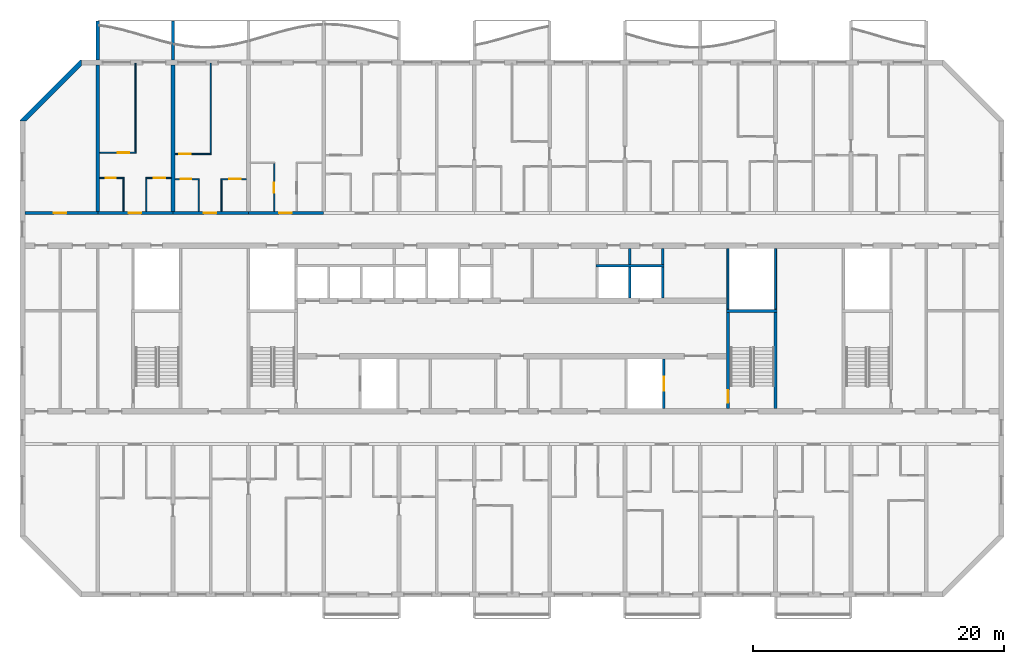
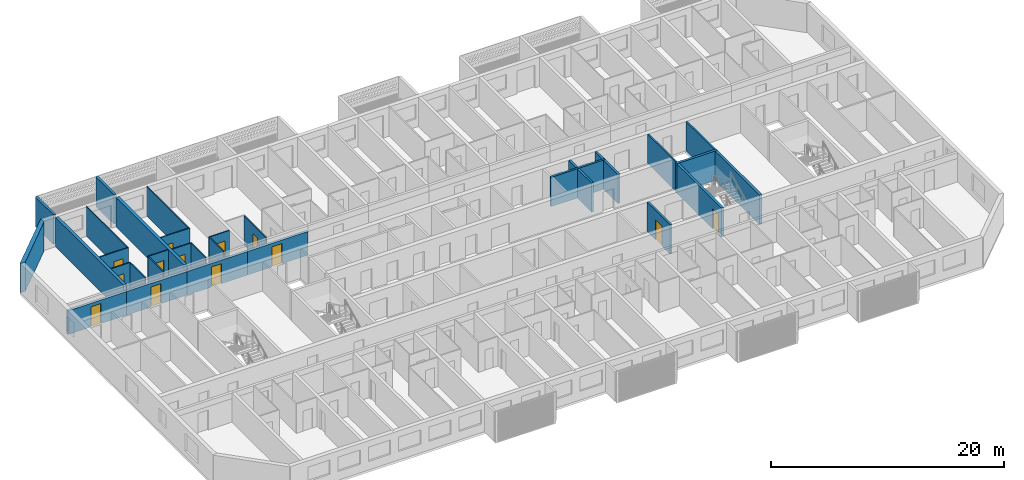
# One storey, part 8 of 32: 33 walls, 13 doors, 13 openings.
"""IFC4 building model written with IfcOpenShell, lengths in metres."""

import ifcopenshell
import ifcopenshell.guid

model = None  # the IFC model being written
_history = None  # IfcOwnerHistory: only IFC2X3 demands one
_inside = {}  # id of a spatial element -> (the spatial element, [elements in it])
_under = {}  # id of a project, library or spatial element -> (it, [spatial elements below it])
_declared = {}  # id of a project -> (the project, [libraries it declares])
_typed = {}  # id of a type object -> (the type object, [elements of that type])
_made_of = {}  # id of a material, layer set ... -> (it, [elements and type objects made of it])


def new_model(schema):
    """Start an empty IFC model of exactly this schema.

    Asked for "IFC4X3", IfcOpenShell would pick the latest addendum, in which some entities
    have other attributes; the version numbers below select the first issue.
    IFC2X3 requires an IfcOwnerHistory on every rooted entity: one is made here for all.
    """
    global model, _history
    if schema == "IFC4X3":
        model = ifcopenshell.file(schema_version=(4, 3, 0, 0))
    else:
        model = ifcopenshell.file(schema=schema)
    _inside.clear()
    _under.clear()
    _declared.clear()
    _typed.clear()
    _made_of.clear()
    _history = None
    if model.schema == "IFC2X3":
        org = make("IfcOrganization", Name="unknown")
        user = make(
            "IfcPersonAndOrganization",
            ThePerson=make("IfcPerson", FamilyName="unknown"),
            TheOrganization=org,
        )
        app = make(
            "IfcApplication",
            ApplicationDeveloper=org,
            Version="unknown",
            ApplicationFullName="unknown",
            ApplicationIdentifier="unknown",
        )
        _history = make(
            "IfcOwnerHistory",
            OwningUser=user,
            OwningApplication=app,
            ChangeAction="ADDED",
            CreationDate=0,
        )
    return model


def make(cls, **values):
    """One entity of the class cls with the attributes given. An attribute that is None is left unset."""
    return model.create_entity(
        cls, **{name: value for name, value in values.items() if value is not None}
    )


def rooted(cls, **values):
    """An entity with a GlobalId (a new one), such as an element, a storey or a relation."""
    return make(cls, GlobalId=ifcopenshell.guid.new(), OwnerHistory=_history, **values)


def si_unit(unit_type, name, prefix=None):
    """IfcSIUnit, for example si_unit("LENGTHUNIT", "METRE", prefix="MILLI")."""
    return make("IfcSIUnit", UnitType=unit_type, Prefix=prefix, Name=name)


def assignment(units):
    """IfcUnitAssignment: the units of a project."""
    return None if units is None else make("IfcUnitAssignment", Units=units)


def point(xyz):
    """IfcCartesianPoint."""
    return None if xyz is None else make("IfcCartesianPoint", Coordinates=xyz)


def direction(xyz):
    """IfcDirection."""
    return None if xyz is None else make("IfcDirection", DirectionRatios=xyz)


def frame(location, z_axis=None, x_axis=None):
    """IfcAxis2Placement3D, a coordinate frame: its origin and axes. An axis left out is left unset."""
    return make(
        "IfcAxis2Placement3D",
        Location=point(location),
        Axis=direction(z_axis),
        RefDirection=direction(x_axis),
    )


def frame_2d(location, x_axis=None):
    """IfcAxis2Placement2D, a coordinate frame in the plane: its origin and x axis."""
    return make(
        "IfcAxis2Placement2D", Location=point(location), RefDirection=direction(x_axis)
    )


def origin():
    """The frame at (0, 0, 0) with its axes left unset."""
    return frame((0.0, 0.0, 0.0))


def place(relative_to, where):
    """IfcLocalPlacement: puts the frame where relative to a parent placement (None: the world)."""
    return make(
        "IfcLocalPlacement", PlacementRelTo=relative_to, RelativePlacement=where
    )


def context(
    kind, dimensions, precision=None, world=None, true_north=None, identifier=None
):
    """IfcGeometricRepresentationContext, for example the 3D "Model" context."""
    return make(
        "IfcGeometricRepresentationContext",
        ContextIdentifier=identifier,
        ContextType=kind,
        CoordinateSpaceDimension=dimensions,
        Precision=precision,
        WorldCoordinateSystem=world,
        TrueNorth=true_north,
    )


def subcontext(parent, identifier, kind, view, scale=None):
    """IfcGeometricRepresentationSubContext, for example "Body" below "Model"."""
    return make(
        "IfcGeometricRepresentationSubContext",
        ContextIdentifier=identifier,
        ContextType=kind,
        ParentContext=parent,
        TargetScale=scale,
        TargetView=view,
    )


def project(units=None, contexts=None):
    """IfcProject with its units and contexts."""
    return rooted(
        "IfcProject",
        Name="project",
        RepresentationContexts=contexts,
        UnitsInContext=assignment(units),
    )


def spatial(cls, under=None, at=None, **own):
    """A site, building, storey or space (cls), placed at a placement, below another one or the project."""
    s = rooted(cls, ObjectPlacement=at, **own)
    if under is not None:
        _under.setdefault(under.id(), (under, []))[1].append(s)
    return s


def polyline(points):
    """IfcPolyline through the points."""
    return make("IfcPolyline", Points=[point(p) for p in points])


def profile(cls, at=None, kind="AREA", **sizes):
    """A parametric profile (cls). Its sizes go by their IFC names, for example OverallWidth=200.0."""
    return make(cls, ProfileType=kind, Position=at, **sizes)


def rectangle(**sizes):
    """IfcRectangleProfileDef."""
    return profile("IfcRectangleProfileDef", **sizes)


def outline(outer, holes=None, kind="AREA"):
    """IfcArbitraryClosedProfileDef: a profile drawn as a closed curve; with holes, ...WithVoids."""
    if holes is None:
        return make("IfcArbitraryClosedProfileDef", ProfileType=kind, OuterCurve=outer)
    return make(
        "IfcArbitraryProfileDefWithVoids",
        ProfileType=kind,
        OuterCurve=outer,
        InnerCurves=holes,
    )


def extrude(swept, where, along, depth):
    """IfcExtrudedAreaSolid: the profile swept, set in the frame where, extruded along a direction by depth."""
    return make(
        "IfcExtrudedAreaSolid",
        SweptArea=swept,
        Position=where,
        ExtrudedDirection=direction(along),
        Depth=depth,
    )


def shape(context_of_items, identifier, shape_type, items):
    """IfcShapeRepresentation: the items that make up one representation, for example the "Body"."""
    return make(
        "IfcShapeRepresentation",
        ContextOfItems=context_of_items,
        RepresentationIdentifier=identifier,
        RepresentationType=shape_type,
        Items=items,
    )


def source(mapping_origin, context_of_items, identifier, shape_type, items):
    """IfcRepresentationMap: a shape defined once, which mapped items show again and again."""
    return make(
        "IfcRepresentationMap",
        MappingOrigin=mapping_origin,
        MappedRepresentation=shape(context_of_items, identifier, shape_type, items),
    )


def transform(
    local_origin,
    x_axis=None,
    y_axis=None,
    z_axis=None,
    scale=None,
    scale2=None,
    scale3=None,
    uniform=True,
):
    """IfcCartesianTransformationOperator3D, or its non-uniform kind. x_axis, y_axis, z_axis: its Axis1, 2, 3."""
    if uniform:
        return make(
            "IfcCartesianTransformationOperator3D",
            Axis1=direction(x_axis),
            Axis2=direction(y_axis),
            LocalOrigin=point(local_origin),
            Scale=scale,
            Axis3=direction(z_axis),
        )
    return make(
        "IfcCartesianTransformationOperator3DnonUniform",
        Axis1=direction(x_axis),
        Axis2=direction(y_axis),
        LocalOrigin=point(local_origin),
        Scale=scale,
        Axis3=direction(z_axis),
        Scale2=scale2,
        Scale3=scale3,
    )


def mapped(mapping_source, mapping_target):
    """IfcMappedItem: shows the shape of a source again, moved by a transform."""
    return make(
        "IfcMappedItem", MappingSource=mapping_source, MappingTarget=mapping_target
    )


def material(Name=None, Category=None):
    """IfcMaterial."""
    return make("IfcMaterial", Name=Name, Category=Category)


def layer(
    of_material, thickness, ventilated=None, Name=None, Category=None, Priority=None
):
    """IfcMaterialLayer: one layer of a wall or slab, of a material (None: an air gap)."""
    return make(
        "IfcMaterialLayer",
        Material=of_material,
        LayerThickness=thickness,
        IsVentilated=ventilated,
        Name=Name,
        Category=Category,
        Priority=Priority,
    )


def layer_set(layers, Name=None):
    """IfcMaterialLayerSet."""
    return make("IfcMaterialLayerSet", MaterialLayers=layers, LayerSetName=Name)


def made_of(thing, what):
    """Note that an element or type object is made of a material, layer set ...; save() writes the relation."""
    if what is not None:
        _made_of.setdefault(what.id(), (what, []))[1].append(thing)
    return thing


def type_object(cls, material=None, **own):
    """A type object (cls), such as IfcWallType, which elements share."""
    return made_of(rooted(cls, **own), material)


def element(
    cls,
    number,
    at=None,
    inside=None,
    cuts=None,
    type_object=None,
    material=None,
    context=None,
    identifier="Body",
    shape_type=None,
    held_by="IfcProductDefinitionShape",
    body=None,
    shapes=None,
    **own,
):
    """One element of the class cls, such as IfcWall. Its Tag is "e" and its number.

    at: its placement. inside: the storey or other place that contains it. cuts: it is an
    opening in that element (IfcRelVoidsElement). A single representation is given by context,
    identifier, shape_type and body (its items); several are given by shapes. held_by: the class
    of the entity that holds the representations. save() writes the other relations.
    """
    e = rooted(cls, Tag="e%d" % number, ObjectPlacement=at, **own)
    if body is not None:
        shapes = [shape(context, identifier, shape_type, body)]
    if shapes is not None:
        e.Representation = make(held_by, Representations=shapes)
    if inside is not None:
        _inside.setdefault(inside.id(), (inside, []))[1].append(e)
    if cuts is not None:
        rooted(
            "IfcRelVoidsElement", RelatingBuildingElement=cuts, RelatedOpeningElement=e
        )
    if type_object is not None:
        _typed.setdefault(type_object.id(), (type_object, []))[1].append(e)
    return made_of(e, material)


def fill(opening, filler):
    """IfcRelFillsElement: the door or window that sits in an opening."""
    return rooted(
        "IfcRelFillsElement",
        RelatingOpeningElement=opening,
        RelatedBuildingElement=filler,
    )


def aggregate(whole, parts):
    """IfcRelAggregates: a whole, such as a stair, and the parts it consists of."""
    return rooted("IfcRelAggregates", RelatingObject=whole, RelatedObjects=parts)


def save(model, path):
    """Write the relations noted so far, then the file.

    IfcRelAggregates (storeys below a building ...), IfcRelContainedInSpatialStructure (elements
    in a storey), IfcRelDefinesByType, IfcRelAssociatesMaterial and IfcRelDeclares: one each for
    every whole, place, type object, material and project.
    """
    for whole, parts in _under.values():
        aggregate(whole, parts)
    for where, things in _inside.values():
        rooted(
            "IfcRelContainedInSpatialStructure",
            RelatedElements=things,
            RelatingStructure=where,
        )
    for kind, things in _typed.values():
        rooted("IfcRelDefinesByType", RelatedObjects=things, RelatingType=kind)
    for what, things in _made_of.values():
        rooted("IfcRelAssociatesMaterial", RelatedObjects=things, RelatingMaterial=what)
    for by, libraries in _declared.values():
        rooted("IfcRelDeclares", RelatingContext=by, RelatedDefinitions=libraries)
    model.write(path)


model = new_model("IFC4")

# Units and contexts
model_context = context("Model", 3, precision=1e-05, world=origin(), true_north=direction((0.0, 1.0)))
body_context = subcontext(model_context, "Body", "Model", "MODEL_VIEW")
ifc_project = project(units=[si_unit("LENGTHUNIT", "METRE"), si_unit("AREAUNIT", "SQUARE_METRE"), si_unit("VOLUMEUNIT", "CUBIC_METRE"), si_unit("PLANEANGLEUNIT", "RADIAN"), si_unit("MASSUNIT", "GRAM", prefix="KILO")], contexts=[model_context])

# Site, building, storey
site_placement = place(None, origin())
site = spatial("IfcSite", under=ifc_project, at=site_placement, CompositionType="ELEMENT")
building_placement = place(site_placement, origin())
building = spatial("IfcBuilding", under=site, at=building_placement, Name="Poui Terraces", CompositionType="ELEMENT")
storey_placement = place(building_placement, frame((0.0, 0.0, 129.0)))
storey = spatial("IfcBuildingStorey", under=building, at=storey_placement, Name="L35", CompositionType="ELEMENT", Elevation=129.0)

# Wall, opening, door
ifc_material_1 = material(Name="Concrete 65 MPa", Category="concrete")
ifc_layer_1 = layer(ifc_material_1, 0.25)
ifc_layer_set_1 = layer_set([ifc_layer_1], Name="Concrete 65 MPa")
wall_type_1 = type_object("IfcWallType", Name="CORRIDOR WALL 250 65MPa", PredefinedType="SHEAR", material=ifc_layer_set_1)
wall_1_placement = place(storey_placement, frame((12.199951171875, 30.39990234375, 0.0), z_axis=(0.0, 0.0, 1.0), x_axis=(1.0, 0.0, 0.0)))
wall_1 = element("IfcWall", 1, at=wall_1_placement, inside=storey, type_object=wall_type_1, Name="CORRIDOR WALL LINE E BAY 1", PredefinedType="SHEAR", context=body_context, shape_type="SweptSolid", body=[
    extrude(rectangle(XDim=5.800048828125, YDim=0.25, at=frame_2d((2.89990234375, 0.0))), origin(), (0.0, 0.0, 1.0), 2.469970703125),
])
opening_1_placement = place(wall_1_placement, frame((2.300048828125, 0.0, 0.0)))
opening_1 = element("IfcOpeningElement", 2, at=opening_1_placement, cuts=wall_1, Name="Opening D100", PredefinedType="OPENING", context=body_context, shape_type="SweptSolid", body=[
    extrude(rectangle(XDim=1.0, YDim=2.10009765625, at=frame_2d((0.5, 1.050048828125))), frame((0.0, 0.135009765625, 0.0), z_axis=(0.0, -1.0, 0.0), x_axis=(1.0, 0.0, 0.0)), (0.0, 0.0, 1.0), 0.27001953125),
])
ifc_material_2 = material(Name="Solid core timber door", Category="wood")
door_type_1 = type_object("IfcDoorType", Name="ACCESSIBLE INTERNAL DOOR 1000 X 2100", OperationType="NOTDEFINED", PredefinedType="DOOR", material=ifc_material_2)
door_1_placement = place(opening_1_placement, origin())
door_1 = element("IfcDoor", 3, at=door_1_placement, inside=storey, type_object=door_type_1, Name="ACCESSIBLE INTERNAL DOOR 034", OperationType="SINGLE_SWING_LEFT", OverallHeight=2.10009765625, OverallWidth=1.0, PredefinedType="DOOR", context=body_context, shape_type="SweptSolid", body=[
    extrude(rectangle(XDim=1.0, YDim=2.10009765625, at=frame_2d((0.5, 1.050048828125))), frame((0.0, 0.02490234375, 0.0), z_axis=(0.0, -1.0, 0.0), x_axis=(1.0, 0.0, 0.0)), (0.0, 0.0, 1.0), 0.050048828125),
])
fill(opening_1, door_1)

wall_2_placement = place(storey_placement, frame((18.0, 30.39990234375, 0.0), z_axis=(0.0, 0.0, 1.0), x_axis=(1.0, 0.0, 0.0)))
wall_2 = element("IfcWall", 4, at=wall_2_placement, inside=storey, type_object=wall_type_1, Name="CORRIDOR WALL LINE E BAY 2", PredefinedType="SHEAR", context=body_context, shape_type="SweptSolid", body=[
    extrude(rectangle(XDim=6.0, YDim=0.25, at=frame_2d((3.0, 0.0))), origin(), (0.0, 0.0, 1.0), 2.469970703125),
])
opening_2_placement = place(wall_2_placement, frame((2.449951171875, 0.0, 0.0)))
opening_2 = element("IfcOpeningElement", 5, at=opening_2_placement, cuts=wall_2, Name="Opening FD30S", PredefinedType="OPENING", context=body_context, shape_type="SweptSolid", body=[
    extrude(rectangle(XDim=1.0, YDim=2.10009765625, at=frame_2d((0.5, 1.050048828125))), frame((0.0, 0.135009765625, 0.0), z_axis=(0.0, -1.0, 0.0), x_axis=(1.0, 0.0, 0.0)), (0.0, 0.0, 1.0), 0.27001953125),
])
ifc_material_3 = material(Name="Steel fire door", Category="steel")
door_type_2 = type_object("IfcDoorType", Name="FLAT ENTRANCE DOOR 1000 X 2100", OperationType="NOTDEFINED", PredefinedType="DOOR", material=ifc_material_3)
door_2_placement = place(opening_2_placement, origin())
door_2 = element("IfcDoor", 6, at=door_2_placement, inside=storey, type_object=door_type_2, Name="FLAT ENTRANCE DOOR 037", OperationType="SINGLE_SWING_LEFT", OverallHeight=2.10009765625, OverallWidth=1.0, PredefinedType="DOOR", context=body_context, shape_type="SweptSolid", body=[
    extrude(rectangle(XDim=1.0, YDim=2.10009765625, at=frame_2d((0.5, 1.050048828125))), frame((0.0, 0.02490234375, 0.0), z_axis=(0.0, -1.0, 0.0), x_axis=(1.0, 0.0, 0.0)), (0.0, 0.0, 1.0), 0.050048828125),
])
fill(opening_2, door_2)

wall_3_placement = place(storey_placement, frame((24.0, 30.39990234375, 0.0), z_axis=(0.0, 0.0, 1.0), x_axis=(1.0, 0.0, 0.0)))
wall_3 = element("IfcWall", 7, at=wall_3_placement, inside=storey, type_object=wall_type_1, Name="CORRIDOR WALL LINE E BAY 3", PredefinedType="SHEAR", context=body_context, shape_type="SweptSolid", body=[
    extrude(rectangle(XDim=6.0, YDim=0.25, at=frame_2d((3.0, 0.0))), origin(), (0.0, 0.0, 1.0), 2.469970703125),
])
opening_3_placement = place(wall_3_placement, frame((2.449951171875, 0.0, 0.0)))
opening_3 = element("IfcOpeningElement", 8, at=opening_3_placement, cuts=wall_3, Name="Opening FD30S", PredefinedType="OPENING", context=body_context, shape_type="SweptSolid", body=[
    extrude(rectangle(XDim=1.0, YDim=2.10009765625, at=frame_2d((0.5, 1.050048828125))), frame((0.0, 0.135009765625, 0.0), z_axis=(0.0, -1.0, 0.0), x_axis=(1.0, 0.0, 0.0)), (0.0, 0.0, 1.0), 0.27001953125),
])
door_3_placement = place(opening_3_placement, origin())
door_3 = element("IfcDoor", 9, at=door_3_placement, inside=storey, type_object=door_type_2, Name="FLAT ENTRANCE DOOR 041", OperationType="SINGLE_SWING_LEFT", OverallHeight=2.10009765625, OverallWidth=1.0, PredefinedType="DOOR", context=body_context, shape_type="SweptSolid", body=[
    extrude(rectangle(XDim=1.0, YDim=2.10009765625, at=frame_2d((0.5, 1.050048828125))), frame((0.0, 0.02490234375, 0.0), z_axis=(0.0, -1.0, 0.0), x_axis=(1.0, 0.0, 0.0)), (0.0, 0.0, 1.0), 0.050048828125),
])
fill(opening_3, door_3)

wall_4_placement = place(storey_placement, frame((30.0, 30.39990234375, 0.0), z_axis=(0.0, 0.0, 1.0), x_axis=(1.0, 0.0, 0.0)))
wall_4 = element("IfcWall", 10, at=wall_4_placement, inside=storey, type_object=wall_type_1, Name="CORRIDOR WALL LINE E BAY 4", PredefinedType="SHEAR", context=body_context, shape_type="SweptSolid", body=[
    extrude(rectangle(XDim=6.0, YDim=0.25, at=frame_2d((3.0, 0.0))), origin(), (0.0, 0.0, 1.0), 2.469970703125),
])
opening_4_placement = place(wall_4_placement, frame((2.449951171875, 0.0, 0.0)))
opening_4 = element("IfcOpeningElement", 11, at=opening_4_placement, cuts=wall_4, Name="Opening FD30S", PredefinedType="OPENING", context=body_context, shape_type="SweptSolid", body=[
    extrude(rectangle(XDim=1.0, YDim=2.10009765625, at=frame_2d((0.5, 1.050048828125))), frame((0.0, 0.135009765625, 0.0), z_axis=(0.0, -1.0, 0.0), x_axis=(1.0, 0.0, 0.0)), (0.0, 0.0, 1.0), 0.27001953125),
])
door_4_placement = place(opening_4_placement, origin())
door_4 = element("IfcDoor", 12, at=door_4_placement, inside=storey, type_object=door_type_2, Name="FLAT ENTRANCE DOOR 044", OperationType="SINGLE_SWING_LEFT", OverallHeight=2.10009765625, OverallWidth=1.0, PredefinedType="DOOR", context=body_context, shape_type="SweptSolid", body=[
    extrude(rectangle(XDim=1.0, YDim=2.10009765625, at=frame_2d((0.5, 1.050048828125))), frame((0.0, 0.02490234375, 0.0), z_axis=(0.0, -1.0, 0.0), x_axis=(1.0, 0.0, 0.0)), (0.0, 0.0, 1.0), 0.050048828125),
])
fill(opening_4, door_4)

# Walls
ifc_layer_2 = layer(ifc_material_1, 0.300048828125)
ifc_layer_set_2 = layer_set([ifc_layer_2], Name="Concrete 65 MPa")
wall_type_2 = type_object("IfcWallType", Name="CROSS WALL 300 65MPa", PredefinedType="SHEAR", material=ifc_layer_set_2)
for number, where, z_axis, x_axis, name in (
    (13, (18.0, 30.52490234375, 0.0), (0.0, 0.0, 1.0), (0.0, 1.0, 0.0), "CROSS WALL LINE 4 NORTH"),
    (14, (24.0, 30.52490234375, 0.0), (0.0, 0.0, 1.0), (0.0, 1.0, 0.0), "CROSS WALL LINE 5 NORTH"),
):
    element("IfcWall", number, at=place(storey_placement, frame(where, z_axis=z_axis, x_axis=x_axis)), inside=storey, type_object=wall_type_2, Name=name, PredefinedType="SHEAR", context=body_context, shape_type="SweptSolid", body=[
        extrude(rectangle(XDim=11.675048828125, YDim=0.300048828125, at=frame_2d((5.83740234375, 0.0))), origin(), (0.0, 0.0, 1.0), 3.070068359375),
    ])

# Wall, opening, door
ifc_material_4 = material(Name="Plasterboard partition")
ifc_layer_3 = layer(ifc_material_4, 0.10009765625)
ifc_layer_set_3 = layer_set([ifc_layer_3], Name="Plasterboard partition")
wall_type_3 = type_object("IfcWallType", Name="FLAT PARTITION 100", PredefinedType="PARTITIONING", material=ifc_layer_set_3)
wall_5_placement = place(storey_placement, frame((24.159912109375, 33.10009765625, 0.0), z_axis=(0.0, 0.0, 1.0), x_axis=(1.0, 0.0, 0.0)))
wall_5 = element("IfcWall", 15, at=wall_5_placement, inside=storey, type_object=wall_type_3, Name="FLAT PARTITION 100", PredefinedType="PARTITIONING", context=body_context, shape_type="SweptSolid", body=[
    extrude(rectangle(XDim=1.940185546875, YDim=0.10009765625, at=frame_2d((0.97021484375, 0.0))), origin(), (0.0, 0.0, 1.0), 3.070068359375),
])
opening_5_placement = place(wall_5_placement, frame((0.465087890625, 0.0, 0.0)))
opening_5 = element("IfcOpeningElement", 16, at=opening_5_placement, cuts=wall_5, Name="Opening D80", PredefinedType="OPENING", context=body_context, shape_type="SweptSolid", body=[
    extrude(rectangle(XDim=0.800048828125, YDim=2.10009765625, at=frame_2d((0.39990234375, 1.050048828125))), frame((0.0, 0.06005859375, 0.0), z_axis=(0.0, -1.0, 0.0), x_axis=(1.0, 0.0, 0.0)), (0.0, 0.0, 1.0), 0.1201171875),
])
door_type_3 = type_object("IfcDoorType", Name="BATHROOM, LAUNDRY AND STORE DOOR 800 X 2100", OperationType="NOTDEFINED", PredefinedType="DOOR", material=ifc_material_2)
door_5_placement = place(opening_5_placement, frame((0.800048828125, 0.0, 0.0), z_axis=(0.0, 0.0, 1.0), x_axis=(-1.0, 0.0, 0.0)))
door_5 = element("IfcDoor", 17, at=door_5_placement, inside=storey, type_object=door_type_3, Name="BATHROOM, LAUNDRY AND STORE DOOR 040", OperationType="SINGLE_SWING_RIGHT", OverallHeight=2.10009765625, OverallWidth=0.800048828125, PredefinedType="DOOR", context=body_context, shape_type="SweptSolid", body=[
    extrude(rectangle(XDim=0.800048828125, YDim=2.10009765625, at=frame_2d((0.39990234375, 1.050048828125))), frame((0.0, 0.02490234375, 0.0), z_axis=(0.0, -1.0, 0.0), x_axis=(1.0, 0.0, 0.0)), (0.0, 0.0, 1.0), 0.050048828125),
])
fill(opening_5, door_5)

wall_6_placement = place(storey_placement, frame((27.800048828125, 33.10009765625, 0.0), z_axis=(0.0, 0.0, 1.0), x_axis=(1.0, 0.0, 0.0)))
wall_6 = element("IfcWall", 18, at=wall_6_placement, inside=storey, type_object=wall_type_3, Name="FLAT PARTITION 100", PredefinedType="PARTITIONING", context=body_context, shape_type="SweptSolid", body=[
    extrude(rectangle(XDim=2.0400390625, YDim=0.10009765625, at=frame_2d((1.02001953125, 0.0))), origin(), (0.0, 0.0, 1.0), 3.070068359375),
])
opening_6_placement = place(wall_6_placement, frame((0.675048828125, 0.0, 0.0)))
opening_6 = element("IfcOpeningElement", 19, at=opening_6_placement, cuts=wall_6, Name="Opening D90", PredefinedType="OPENING", context=body_context, shape_type="SweptSolid", body=[
    extrude(rectangle(XDim=0.89990234375, YDim=2.10009765625, at=frame_2d((0.449951171875, 1.050048828125))), frame((0.0, 0.06005859375, 0.0), z_axis=(0.0, -1.0, 0.0), x_axis=(1.0, 0.0, 0.0)), (0.0, 0.0, 1.0), 0.1201171875),
])
door_type_4 = type_object("IfcDoorType", Name="INTERNAL DOOR 900 X 2100", OperationType="NOTDEFINED", PredefinedType="DOOR", material=ifc_material_2)
door_6_placement = place(opening_6_placement, frame((0.89990234375, 0.0, 0.0), z_axis=(0.0, 0.0, 1.0), x_axis=(-1.0, 0.0, 0.0)))
door_6 = element("IfcDoor", 20, at=door_6_placement, inside=storey, type_object=door_type_4, Name="INTERNAL DOOR 042", OperationType="SINGLE_SWING_LEFT", OverallHeight=2.10009765625, OverallWidth=0.89990234375, PredefinedType="DOOR", context=body_context, shape_type="SweptSolid", body=[
    extrude(rectangle(XDim=0.89990234375, YDim=2.10009765625, at=frame_2d((0.449951171875, 1.050048828125))), frame((0.0, 0.02490234375, 0.0), z_axis=(0.0, -1.0, 0.0), x_axis=(1.0, 0.0, 0.0)), (0.0, 0.0, 1.0), 0.050048828125),
])
fill(opening_6, door_6)

wall_7_placement = place(storey_placement, frame((18.159912109375, 33.199951171875, 0.0), z_axis=(0.0, 0.0, 1.0), x_axis=(1.0, 0.0, 0.0)))
wall_7 = element("IfcWall", 21, at=wall_7_placement, inside=storey, type_object=wall_type_3, Name="FLAT PARTITION 100", PredefinedType="PARTITIONING", context=body_context, shape_type="SweptSolid", body=[
    extrude(rectangle(XDim=1.940185546875, YDim=0.10009765625, at=frame_2d((0.97021484375, 0.0))), origin(), (0.0, 0.0, 1.0), 3.070068359375),
])
opening_7_placement = place(wall_7_placement, frame((0.465087890625, 0.0, 0.0)))
opening_7 = element("IfcOpeningElement", 22, at=opening_7_placement, cuts=wall_7, Name="Opening D80", PredefinedType="OPENING", context=body_context, shape_type="SweptSolid", body=[
    extrude(rectangle(XDim=0.800048828125, YDim=2.10009765625, at=frame_2d((0.39990234375, 1.050048828125))), frame((0.0, 0.06005859375, 0.0), z_axis=(0.0, -1.0, 0.0), x_axis=(1.0, 0.0, 0.0)), (0.0, 0.0, 1.0), 0.1201171875),
])
door_7_placement = place(opening_7_placement, frame((0.800048828125, 0.0, 0.0), z_axis=(0.0, 0.0, 1.0), x_axis=(-1.0, 0.0, 0.0)))
door_7 = element("IfcDoor", 23, at=door_7_placement, inside=storey, type_object=door_type_3, Name="BATHROOM, LAUNDRY AND STORE DOOR 035", OperationType="SINGLE_SWING_LEFT", OverallHeight=2.10009765625, OverallWidth=0.800048828125, PredefinedType="DOOR", context=body_context, shape_type="SweptSolid", body=[
    extrude(rectangle(XDim=0.800048828125, YDim=2.10009765625, at=frame_2d((0.39990234375, 1.050048828125))), frame((0.0, 0.02490234375, 0.0), z_axis=(0.0, -1.0, 0.0), x_axis=(1.0, 0.0, 0.0)), (0.0, 0.0, 1.0), 0.050048828125),
])
fill(opening_7, door_7)

wall_8_placement = place(storey_placement, frame((21.800048828125, 33.199951171875, 0.0), z_axis=(0.0, 0.0, 1.0), x_axis=(1.0, 0.0, 0.0)))
wall_8 = element("IfcWall", 24, at=wall_8_placement, inside=storey, type_object=wall_type_3, Name="FLAT PARTITION 100", PredefinedType="PARTITIONING", context=body_context, shape_type="SweptSolid", body=[
    extrude(rectangle(XDim=2.0400390625, YDim=0.10009765625, at=frame_2d((1.02001953125, 0.0))), origin(), (0.0, 0.0, 1.0), 3.070068359375),
])
opening_8_placement = place(wall_8_placement, frame((0.675048828125, 0.0, 0.0)))
opening_8 = element("IfcOpeningElement", 25, at=opening_8_placement, cuts=wall_8, Name="Opening D90", PredefinedType="OPENING", context=body_context, shape_type="SweptSolid", body=[
    extrude(rectangle(XDim=0.89990234375, YDim=2.10009765625, at=frame_2d((0.449951171875, 1.050048828125))), frame((0.0, 0.06005859375, 0.0), z_axis=(0.0, -1.0, 0.0), x_axis=(1.0, 0.0, 0.0)), (0.0, 0.0, 1.0), 0.1201171875),
])
door_8_placement = place(opening_8_placement, frame((0.89990234375, 0.0, 0.0), z_axis=(0.0, 0.0, 1.0), x_axis=(-1.0, 0.0, 0.0)))
door_8 = element("IfcDoor", 26, at=door_8_placement, inside=storey, type_object=door_type_4, Name="INTERNAL DOOR 038", OperationType="SINGLE_SWING_RIGHT", OverallHeight=2.10009765625, OverallWidth=0.89990234375, PredefinedType="DOOR", context=body_context, shape_type="SweptSolid", body=[
    extrude(rectangle(XDim=0.89990234375, YDim=2.10009765625, at=frame_2d((0.449951171875, 1.050048828125))), frame((0.0, 0.02490234375, 0.0), z_axis=(0.0, -1.0, 0.0), x_axis=(1.0, 0.0, 0.0)), (0.0, 0.0, 1.0), 0.050048828125),
])
fill(opening_8, door_8)

wall_9_placement = place(storey_placement, frame((24.159912109375, 35.10009765625, 0.0), z_axis=(0.0, 0.0, 1.0), x_axis=(1.0, 0.0, 0.0)))
wall_9 = element("IfcWall", 27, at=wall_9_placement, inside=storey, type_object=wall_type_3, Name="FLAT PARTITION 100", PredefinedType="PARTITIONING", context=body_context, shape_type="SweptSolid", body=[
    extrude(rectangle(XDim=2.89013671875, YDim=0.10009765625, at=frame_2d((1.445068359375, 0.0))), origin(), (0.0, 0.0, 1.0), 3.070068359375),
])
opening_9_placement = place(wall_9_placement, frame((0.340087890625, 0.0, 0.0)))
opening_9 = element("IfcOpeningElement", 28, at=opening_9_placement, cuts=wall_9, Name="Opening D90", PredefinedType="OPENING", context=body_context, shape_type="SweptSolid", body=[
    extrude(rectangle(XDim=0.89990234375, YDim=2.10009765625, at=frame_2d((0.449951171875, 1.050048828125))), frame((0.0, 0.06005859375, 0.0), z_axis=(0.0, -1.0, 0.0), x_axis=(1.0, 0.0, 0.0)), (0.0, 0.0, 1.0), 0.1201171875),
])
door_9_placement = place(opening_9_placement, frame((0.89990234375, 0.0, 0.0), z_axis=(0.0, 0.0, 1.0), x_axis=(-1.0, 0.0, 0.0)))
door_9 = element("IfcDoor", 29, at=door_9_placement, inside=storey, type_object=door_type_4, Name="INTERNAL DOOR 039", OperationType="SINGLE_SWING_LEFT", OverallHeight=2.10009765625, OverallWidth=0.89990234375, PredefinedType="DOOR", context=body_context, shape_type="SweptSolid", body=[
    extrude(rectangle(XDim=0.89990234375, YDim=2.10009765625, at=frame_2d((0.449951171875, 1.050048828125))), frame((0.0, 0.02490234375, 0.0), z_axis=(0.0, -1.0, 0.0), x_axis=(1.0, 0.0, 0.0)), (0.0, 0.0, 1.0), 0.050048828125),
])
fill(opening_9, door_9)

wall_10_placement = place(storey_placement, frame((18.159912109375, 35.199951171875, 0.0), z_axis=(0.0, 0.0, 1.0), x_axis=(1.0, 0.0, 0.0)))
wall_10 = element("IfcWall", 30, at=wall_10_placement, inside=storey, type_object=wall_type_3, Name="FLAT PARTITION 100", PredefinedType="PARTITIONING", context=body_context, shape_type="SweptSolid", body=[
    extrude(rectangle(XDim=2.89013671875, YDim=0.10009765625, at=frame_2d((1.445068359375, 0.0))), origin(), (0.0, 0.0, 1.0), 3.070068359375),
])
opening_10_placement = place(wall_10_placement, frame((1.43994140625, 0.0, 0.0)))
opening_10 = element("IfcOpeningElement", 31, at=opening_10_placement, cuts=wall_10, Name="Opening D90", PredefinedType="OPENING", context=body_context, shape_type="SweptSolid", body=[
    extrude(rectangle(XDim=0.89990234375, YDim=2.10009765625, at=frame_2d((0.449951171875, 1.050048828125))), frame((0.0, 0.06005859375, 0.0), z_axis=(0.0, -1.0, 0.0), x_axis=(1.0, 0.0, 0.0)), (0.0, 0.0, 1.0), 0.1201171875),
])
door_10_placement = place(opening_10_placement, frame((0.89990234375, 0.0, 0.0), z_axis=(0.0, 0.0, 1.0), x_axis=(-1.0, 0.0, 0.0)))
door_10 = element("IfcDoor", 32, at=door_10_placement, inside=storey, type_object=door_type_4, Name="INTERNAL DOOR 036", OperationType="SINGLE_SWING_RIGHT", OverallHeight=2.10009765625, OverallWidth=0.89990234375, PredefinedType="DOOR", context=body_context, shape_type="SweptSolid", body=[
    extrude(rectangle(XDim=0.89990234375, YDim=2.10009765625, at=frame_2d((0.449951171875, 1.050048828125))), frame((0.0, 0.02490234375, 0.0), z_axis=(0.0, -1.0, 0.0), x_axis=(1.0, 0.0, 0.0)), (0.0, 0.0, 1.0), 0.050048828125),
])
fill(opening_10, door_10)

# Walls
wall_11_placement = place(storey_placement, frame((20.050048828125, 30.534912109375, 0.0), z_axis=(0.0, 0.0, 1.0), x_axis=(0.0, 1.0, 0.0)))
element("IfcWall", 33, at=wall_11_placement, inside=storey, type_object=wall_type_3, Name="FLAT PARTITION 100", PredefinedType="PARTITIONING", context=body_context, shape_type="SweptSolid", body=[
    extrude(rectangle(XDim=2.614990234375, YDim=0.10009765625, at=frame_2d((1.3076171875, 0.0))), origin(), (0.0, 0.0, 1.0), 3.070068359375),
])
wall_12_placement = place(storey_placement, frame((21.0, 35.25, 0.0), z_axis=(0.0, 0.0, 1.0), x_axis=(0.0, 1.0, 0.0)))
element("IfcWall", 34, at=wall_12_placement, inside=storey, type_object=wall_type_3, Name="FLAT PARTITION 100", PredefinedType="PARTITIONING", context=body_context, shape_type="SweptSolid", body=[
    extrude(rectangle(XDim=7.090087890625, YDim=0.10009765625, at=frame_2d((3.544921875, 0.0))), origin(), (0.0, 0.0, 1.0), 3.070068359375),
])
wall_13_placement = place(storey_placement, frame((21.85009765625, 30.534912109375, 0.0), z_axis=(0.0, 0.0, 1.0), x_axis=(0.0, 1.0, 0.0)))
element("IfcWall", 35, at=wall_13_placement, inside=storey, type_object=wall_type_3, Name="FLAT PARTITION 100", PredefinedType="PARTITIONING", context=body_context, shape_type="SweptSolid", body=[
    extrude(rectangle(XDim=2.614990234375, YDim=0.10009765625, at=frame_2d((1.3076171875, 0.0))), origin(), (0.0, 0.0, 1.0), 3.070068359375),
])
wall_14_placement = place(storey_placement, frame((26.050048828125, 30.534912109375, 0.0), z_axis=(0.0, 0.0, 1.0), x_axis=(0.0, 1.0, 0.0)))
element("IfcWall", 36, at=wall_14_placement, inside=storey, type_object=wall_type_3, Name="FLAT PARTITION 100", PredefinedType="PARTITIONING", context=body_context, shape_type="SweptSolid", body=[
    extrude(rectangle(XDim=2.51513671875, YDim=0.10009765625, at=frame_2d((1.257568359375, 0.0))), origin(), (0.0, 0.0, 1.0), 3.070068359375),
])
wall_15_placement = place(storey_placement, frame((27.0, 35.14990234375, 0.0), z_axis=(0.0, 0.0, 1.0), x_axis=(0.0, 1.0, 0.0)))
element("IfcWall", 37, at=wall_15_placement, inside=storey, type_object=wall_type_3, Name="FLAT PARTITION 100", PredefinedType="PARTITIONING", context=body_context, shape_type="SweptSolid", body=[
    extrude(rectangle(XDim=7.190185546875, YDim=0.10009765625, at=frame_2d((3.59521484375, 0.0))), origin(), (0.0, 0.0, 1.0), 3.070068359375),
])
wall_16_placement = place(storey_placement, frame((27.85009765625, 30.534912109375, 0.0), z_axis=(0.0, 0.0, 1.0), x_axis=(0.0, 1.0, 0.0)))
element("IfcWall", 38, at=wall_16_placement, inside=storey, type_object=wall_type_3, Name="FLAT PARTITION 100", PredefinedType="PARTITIONING", context=body_context, shape_type="SweptSolid", body=[
    extrude(rectangle(XDim=2.51513671875, YDim=0.10009765625, at=frame_2d((1.257568359375, 0.0))), origin(), (0.0, 0.0, 1.0), 3.070068359375),
])

# Wall, opening, door
wall_17_placement = place(storey_placement, frame((32.050048828125, 30.534912109375, 0.0), z_axis=(0.0, 0.0, 1.0), x_axis=(0.0, 1.0, 0.0)))
wall_17 = element("IfcWall", 39, at=wall_17_placement, inside=storey, type_object=wall_type_3, Name="FLAT PARTITION 100", PredefinedType="PARTITIONING", context=body_context, shape_type="SweptSolid", body=[
    extrude(rectangle(XDim=3.815185546875, YDim=0.10009765625, at=frame_2d((1.90771484375, 0.0))), origin(), (0.0, 0.0, 1.0), 3.070068359375),
])
opening_11_placement = place(wall_17_placement, frame((1.465087890625, 0.0, 0.0)))
opening_11 = element("IfcOpeningElement", 40, at=opening_11_placement, cuts=wall_17, Name="Opening D80", PredefinedType="OPENING", context=body_context, shape_type="SweptSolid", body=[
    extrude(rectangle(XDim=0.800048828125, YDim=2.10009765625, at=frame_2d((0.39990234375, 1.050048828125))), frame((0.0, 0.06005859375, 0.0), z_axis=(0.0, -1.0, 0.0), x_axis=(1.0, 0.0, 0.0)), (0.0, 0.0, 1.0), 0.1201171875),
])
door_11_placement = place(opening_11_placement, origin())
door_11 = element("IfcDoor", 41, at=door_11_placement, inside=storey, type_object=door_type_3, Name="BATHROOM, LAUNDRY AND STORE DOOR 043", OperationType="SINGLE_SWING_LEFT", OverallHeight=2.10009765625, OverallWidth=0.800048828125, PredefinedType="DOOR", context=body_context, shape_type="SweptSolid", body=[
    extrude(rectangle(XDim=0.800048828125, YDim=2.10009765625, at=frame_2d((0.39990234375, 1.050048828125))), frame((0.0, 0.02490234375, 0.0), z_axis=(0.0, -1.0, 0.0), x_axis=(1.0, 0.0, 0.0)), (0.0, 0.0, 1.0), 0.050048828125),
])
fill(opening_11, door_11)

# Walls
ifc_material_5 = material(Name="Fire-rated masonry wall", Category="masonry")
ifc_layer_4 = layer(ifc_material_5, 0.199951171875)
ifc_layer_set_4 = layer_set([ifc_layer_4], Name="Fire-rated masonry wall")
wall_type_4 = type_object("IfcWallType", Name="PLANT ROOM WALL 200", PredefinedType="PARTITIONING", material=ifc_layer_set_4)
for number, where, z_axis, x_axis, name in (
    (42, (60.39990234375, 26.300048828125, 0.0), (0.0, 0.0, 1.0), (0.0, 1.0, 0.0), "PLANT ROOM WALL 200"),
    (43, (63.0, 26.300048828125, 0.0), (0.0, 0.0, 1.0), (0.0, 1.0, 0.0), "PLANT ROOM WALL 200"),
):
    element("IfcWall", number, at=place(storey_placement, frame(where, z_axis=z_axis, x_axis=x_axis)), inside=storey, type_object=wall_type_4, Name=name, PredefinedType="PARTITIONING", context=body_context, shape_type="SweptSolid", body=[
        extrude(rectangle(XDim=1.264892578125, YDim=0.199951171875, at=frame_2d((0.63232421875, 0.0))), origin(), (0.0, 0.0, 1.0), 3.070068359375),
    ])
ifc_material_6 = material(Name="Fire-rated plasterboard riser wall")
ifc_layer_5 = layer(ifc_material_6, 0.14990234375)
ifc_layer_set_5 = layer_set([ifc_layer_5], Name="Fire-rated plasterboard riser wall")
wall_type_5 = type_object("IfcWallType", Name="RISER WALL 150", PredefinedType="PARTITIONING", material=ifc_layer_set_5)
for number, where, z_axis, x_axis, name in (
    (44, (68.199951171875, 22.735107421875, 0.0), (0.0, 0.0, 1.0), (0.0, 1.0, 0.0), "RISER WALL 150"),
    (45, (72.0, 22.735107421875, 0.0), (0.0, 0.0, 1.0), (0.0, 1.0, 0.0), "RISER WALL 150"),
):
    element("IfcWall", number, at=place(storey_placement, frame(where, z_axis=z_axis, x_axis=x_axis)), inside=storey, type_object=wall_type_5, Name=name, PredefinedType="PARTITIONING", context=body_context, shape_type="SweptSolid", body=[
        extrude(rectangle(XDim=4.829833984375, YDim=0.14990234375, at=frame_2d((2.4150390625, 0.0))), origin(), (0.0, 0.0, 1.0), 3.070068359375),
    ])
ifc_material_7 = material(Name="Fire-rated masonry shaft wall", Category="masonry")
ifc_layer_6 = layer(ifc_material_7, 0.199951171875)
ifc_layer_set_6 = layer_set([ifc_layer_6], Name="Fire-rated masonry shaft wall")
wall_type_6 = type_object("IfcWallType", Name="SHAFT WALL 200", PredefinedType="PARTITIONING", material=ifc_layer_set_6)
wall_18_placement = place(storey_placement, frame((57.699951171875, 26.199951171875, 0.0), z_axis=(0.0, 0.0, 1.0), x_axis=(1.0, 0.0, 0.0)))
element("IfcWall", 46, at=wall_18_placement, inside=storey, type_object=wall_type_6, Name="SHAFT WALL 200", PredefinedType="PARTITIONING", context=body_context, shape_type="SweptSolid", body=[
    extrude(rectangle(XDim=5.400146484375, YDim=0.199951171875, at=frame_2d((2.7001953125, 0.0))), origin(), (0.0, 0.0, 1.0), 3.070068359375),
])
for number, where, z_axis, x_axis, name in (
    (47, (60.39990234375, 23.635009765625, 0.0), (0.0, 0.0, 1.0), (0.0, 1.0, 0.0), "SHAFT WALL 200"),
    (48, (63.0, 23.635009765625, 0.0), (0.0, 0.0, 1.0), (0.0, 1.0, 0.0), "SHAFT WALL 200"),
):
    element("IfcWall", number, at=place(storey_placement, frame(where, z_axis=z_axis, x_axis=x_axis)), inside=storey, type_object=wall_type_6, Name=name, PredefinedType="PARTITIONING", context=body_context, shape_type="SweptSolid", body=[
        extrude(rectangle(XDim=2.465087890625, YDim=0.199951171875, at=frame_2d((1.232421875, 0.0))), origin(), (0.0, 0.0, 1.0), 3.070068359375),
    ])

# Wall, opening, door
wall_19_placement = place(storey_placement, frame((63.10009765625, 14.8349609375, 0.0), z_axis=(0.0, 0.0, 1.0), x_axis=(0.0, 1.0, 0.0)))
wall_19 = element("IfcWall", 49, at=wall_19_placement, inside=storey, type_object=wall_type_6, Name="SHAFT WALL 200", PredefinedType="PARTITIONING", context=body_context, shape_type="SweptSolid", body=[
    extrude(rectangle(XDim=3.929931640625, YDim=0.199951171875, at=frame_2d((1.96484375, 0.0))), origin(), (0.0, 0.0, 1.0), 3.070068359375),
])
opening_12_placement = place(wall_19_placement, frame((1.4150390625, 0.0, 0.0)))
opening_12 = element("IfcOpeningElement", 50, at=opening_12_placement, cuts=wall_19, Name="Opening LD", PredefinedType="OPENING", context=body_context, shape_type="SweptSolid", body=[
    extrude(rectangle(XDim=1.10009765625, YDim=2.10009765625, at=frame_2d((0.550048828125, 1.050048828125))), frame((0.0, 0.10986328125, 0.0), z_axis=(0.0, -1.0, 0.0), x_axis=(1.0, 0.0, 0.0)), (0.0, 0.0, 1.0), 0.219970703125),
])
ifc_material_8 = material(Name="Stainless steel sliding door", Category="steel")
door_type_5 = type_object("IfcDoorType", Name="LIFT LANDING DOOR 1100 X 2100", OperationType="DOUBLE_DOOR_SLIDING", PredefinedType="DOOR", material=ifc_material_8)
door_12_placement = place(opening_12_placement, origin())
door_12 = element("IfcDoor", 51, at=door_12_placement, inside=storey, type_object=door_type_5, Name="LANDING DOOR", OperationType="DOUBLE_DOOR_SLIDING", OverallHeight=2.10009765625, OverallWidth=1.10009765625, PredefinedType="DOOR", context=body_context, shape_type="SweptSolid", body=[
    extrude(rectangle(XDim=1.10009765625, YDim=2.10009765625, at=frame_2d((0.550048828125, 1.050048828125))), frame((0.0, 0.02490234375, 0.0), z_axis=(0.0, -1.0, 0.0), x_axis=(1.0, 0.0, 0.0)), (0.0, 0.0, 1.0), 0.050048828125),
])
fill(opening_12, door_12)

ifc_layer_7 = layer(ifc_material_1, 0.25)
ifc_layer_set_7 = layer_set([ifc_layer_7], Name="Concrete 65 MPa")
wall_type_7 = type_object("IfcWallType", Name="STAIR CORE WALL 250 65 MPA", PredefinedType="SOLIDWALL", material=ifc_layer_set_7)
wall_20_placement = place(storey_placement, frame((68.199951171875, 14.824951171875, 0.0), z_axis=(0.0, 0.0, 1.0), x_axis=(0.0, 1.0, 0.0)))
wall_20 = element("IfcWall", 52, at=wall_20_placement, inside=storey, type_object=wall_type_7, Name="STAIR CORE WALL", PredefinedType="SOLIDWALL", context=body_context, shape_type="SweptSolid", body=[
    extrude(rectangle(XDim=7.650146484375, YDim=0.25, at=frame_2d((3.8251953125, 0.0))), origin(), (0.0, 0.0, 1.0), 3.070068359375),
])
opening_13_placement = place(wall_20_placement, frame((0.47509765625, 0.0, 0.0)))
opening_13 = element("IfcOpeningElement", 53, at=opening_13_placement, cuts=wall_20, Name="Opening FD60S", PredefinedType="OPENING", context=body_context, shape_type="SweptSolid", body=[
    extrude(rectangle(XDim=1.0, YDim=2.10009765625, at=frame_2d((0.5, 1.050048828125))), frame((0.0, 0.135009765625, 0.0), z_axis=(0.0, -1.0, 0.0), x_axis=(1.0, 0.0, 0.0)), (0.0, 0.0, 1.0), 0.27001953125),
])
door_type_6 = type_object("IfcDoorType", Name="STAIR DOOR 1000 X 2100", OperationType="NOTDEFINED", PredefinedType="DOOR", material=ifc_material_3)
door_13_placement = place(opening_13_placement, frame((1.0, 0.0, 0.0), z_axis=(0.0, 0.0, 1.0), x_axis=(-1.0, 0.0, 0.0)))
door_13 = element("IfcDoor", 54, at=door_13_placement, inside=storey, type_object=door_type_6, Name="STAIR DOOR 122", OperationType="SINGLE_SWING_LEFT", OverallHeight=2.10009765625, OverallWidth=1.0, PredefinedType="DOOR", context=body_context, shape_type="SweptSolid", body=[
    extrude(rectangle(XDim=1.0, YDim=2.10009765625, at=frame_2d((0.5, 1.050048828125))), frame((0.0, 0.02490234375, 0.0), z_axis=(0.0, -1.0, 0.0), x_axis=(1.0, 0.0, 0.0)), (0.0, 0.0, 1.0), 0.050048828125),
])
fill(opening_13, door_13)

# Walls
wall_21_placement = place(storey_placement, frame((72.0, 14.824951171875, 0.0), z_axis=(0.0, 0.0, 1.0), x_axis=(0.0, 1.0, 0.0)))
element("IfcWall", 55, at=wall_21_placement, inside=storey, type_object=wall_type_7, Name="STAIR CORE WALL", PredefinedType="SOLIDWALL", context=body_context, shape_type="SweptSolid", body=[
    extrude(rectangle(XDim=7.650146484375, YDim=0.25, at=frame_2d((3.8251953125, 0.0))), origin(), (0.0, 0.0, 1.0), 3.070068359375),
])
wall_22_placement = place(storey_placement, frame((68.074951171875, 22.60009765625, 0.0), z_axis=(0.0, 0.0, 1.0), x_axis=(1.0, 0.0, 0.0)))
element("IfcWall", 56, at=wall_22_placement, inside=storey, type_object=wall_type_7, Name="STAIR CORE WALL", PredefinedType="SOLIDWALL", context=body_context, shape_type="SweptSolid", body=[
    extrude(rectangle(XDim=4.050048828125, YDim=0.25, at=frame_2d((2.02490234375, 0.0))), origin(), (0.0, 0.0, 1.0), 3.070068359375),
])
ifc_material_9 = material(Name="Precast concrete 40 MPa", Category="concrete")
ifc_layer_8 = layer(ifc_material_9, 0.39990234375)
ifc_layer_set_8 = layer_set([ifc_layer_8], Name="Precast concrete 40 MPa")
wall_type_8 = type_object("IfcWallType", Name="TERRACOTTA CLAD CHAMFER WALL 400", PredefinedType="STANDARD", material=ifc_layer_set_8)
wall_23_placement = place(storey_placement, origin())
element("IfcWall", 57, at=wall_23_placement, inside=storey, type_object=wall_type_8, Name="CHAMFER WALL CH05", PredefinedType="STANDARD", context=body_context, shape_type="SweptSolid", body=[
    extrude(outline(polyline([(16.682861328125, 42.60009765625), (16.60009765625, 42.60009765625), (11.800048828125, 37.800048828125), (11.800048828125, 37.71728515625), (12.28271484375, 37.71728515625), (16.682861328125, 42.1171875), (16.682861328125, 42.60009765625)])), origin(), (0.0, 0.0, 1.0), 3.070068359375),
])
ifc_layer_9 = layer(ifc_material_9, 0.25)
ifc_layer_set_9 = layer_set([ifc_layer_9], Name="Precast concrete 40 MPa")
wall_type_9 = type_object("IfcWallType", Name="BALCONY FIN 250", PredefinedType="STANDARD", material=ifc_layer_set_9)
shared_shape = source(origin(), body_context, "Body", "SweptSolid", [
    extrude(outline(polyline([(0.0, 0.0), (0.25, 0.0), (0.25, 3.099853515625), (0.0, 3.099853515625), (0.0, 0.0)])), origin(), (0.0, 0.0, 1.0), 3.10009765625),
])
for number, where, name in (
    (58, (17.875, 42.60009765625, 0.0), "BALCONY FIN"),
    (59, (23.875, 42.60009765625, 0.0), "BALCONY FIN"),
):
    element("IfcWall", number, at=place(storey_placement, frame(where)), inside=storey, type_object=wall_type_9, Name=name, PredefinedType="STANDARD", context=body_context, shape_type="MappedRepresentation", body=[
        mapped(shared_shape, transform((0.0, 0.0, 0.0))),
    ])

save(model, "model.ifc")
